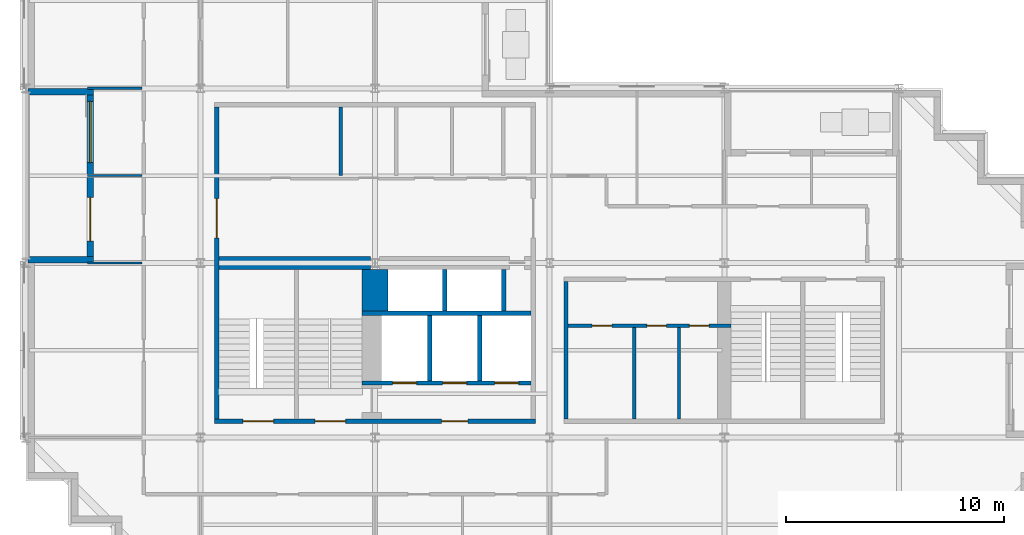
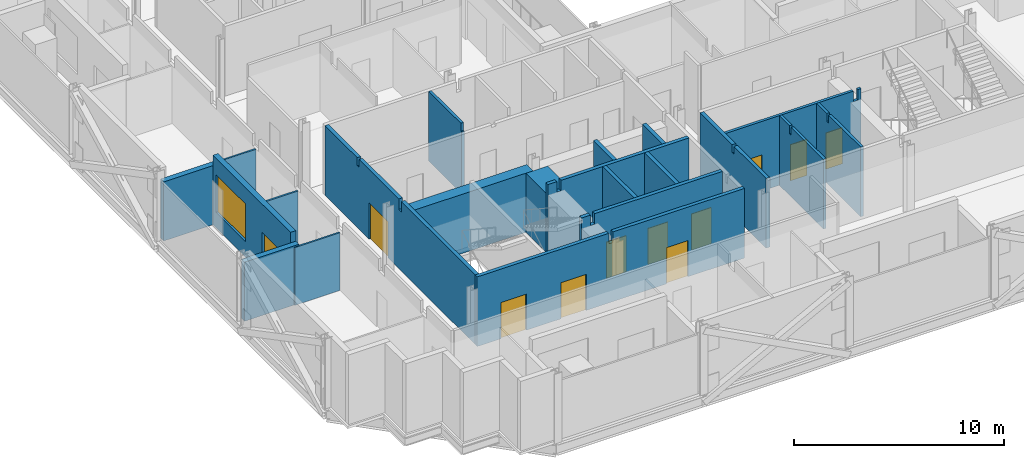
# One storey, part 5 of 13: 21 walls, 11 doors, 1 window, 12 openings.
"""IFC4 building model written with IfcOpenShell, lengths in metres."""

from ifc_helpers import new_model, si_unit, direction, frame, frame_2d, origin, place, context, subcontext, project, spatial, polyline, rectangle, outline, extrude, material, layer, layer_set, type_object, element, fill, save


model = new_model("IFC4")

# Units and contexts
model_context = context("Model", 3, precision=1e-05, world=origin(), true_north=direction((0.0, 1.0)))
body_context = subcontext(model_context, "Body", "Model", "MODEL_VIEW")
ifc_project = project(units=[si_unit("LENGTHUNIT", "METRE"), si_unit("AREAUNIT", "SQUARE_METRE"), si_unit("VOLUMEUNIT", "CUBIC_METRE"), si_unit("PLANEANGLEUNIT", "RADIAN"), si_unit("MASSUNIT", "GRAM", prefix="KILO")], contexts=[model_context])

# Site, building, storey
site_placement = place(None, origin())
site = spatial("IfcSite", under=ifc_project, at=site_placement, CompositionType="ELEMENT")
building_placement = place(site_placement, origin())
building = spatial("IfcBuilding", under=site, at=building_placement, Name="Immortelle Media Tower", CompositionType="ELEMENT")
storey_placement = place(building_placement, frame((0.0, 0.0, 174.60009765625)))
storey = spatial("IfcBuildingStorey", under=building, at=storey_placement, Name="L36", CompositionType="ELEMENT", Elevation=174.60009765625)

# Wall
ifc_material_1 = material(Name="Fire-rated gypsum board", Category="gypsum")
ifc_layer_1 = layer(ifc_material_1, 0.02490234375)
ifc_material_2 = material(Name="Steel ASTM A653 SS Gr 50 stud frame with mineral wool", Category="steel")
ifc_layer_2 = layer(ifc_material_2, 0.10009765625)
ifc_layer_3 = layer(ifc_material_1, 0.02490234375)
ifc_layer_set_1 = layer_set([ifc_layer_1, ifc_layer_2, ifc_layer_3], Name="Steel ASTM A653 SS Gr 50 stud frame with mineral wool")
wall_type_1 = type_object("IfcWallType", Name="Core partition 150", PredefinedType="PARTITIONING", material=ifc_layer_set_1)
wall_1_placement = place(storey_placement, frame((14.425048828125, 20.0, 0.0), z_axis=(0.0, 0.0, 1.0), x_axis=(0.0, 1.0, 0.0)))
element("IfcWall", 1, at=wall_1_placement, inside=storey, type_object=wall_type_1, Name="Core partition SW", PredefinedType="PARTITIONING", context=body_context, shape_type="SweptSolid", body=[
    extrude(outline(polyline([(0.0, 0.0), (3.14990234375, 0.0), (3.14990234375, 4.0498046875), (0.08154296875, 4.0498046875), (0.08056640625, 3.5888671875), (0.0, 3.5888671875), (0.0, 0.0)])), frame((0.0, 0.074951171875, 0.0), z_axis=(0.0, -1.0, 0.0), x_axis=(1.0, 0.0, 0.0)), (0.0, 0.0, 1.0), 0.14990234375),
])

# Wall, openings, doors
wall_2_placement = place(storey_placement, frame((24.85009765625, 13.125, 0.0), z_axis=(0.0, 0.0, 1.0), x_axis=(1.0, 0.0, 0.0)))
wall_2 = element("IfcWall", 2, at=wall_2_placement, inside=storey, type_object=wall_type_1, Name="Core partition SE", PredefinedType="PARTITIONING", context=body_context, shape_type="SweptSolid", body=[
    extrude(outline(polyline([(0.0, 0.0), (7.449951171875, 0.0), (7.449951171875, 4.0498046875), (7.26904296875, 4.0498046875), (7.26806640625, 3.44189453125), (7.031982421875, 3.44189453125), (7.031005859375, 4.0498046875), (0.0, 4.0498046875), (0.0, 0.0)])), frame((0.0, 0.074951171875, 0.0), z_axis=(0.0, -1.0, 0.0), x_axis=(1.0, 0.0, 0.0)), (0.0, 0.0, 1.0), 0.14990234375),
])
opening_1_placement = place(wall_2_placement, frame((2.0, 0.0, 0.0), z_axis=(0.0, 0.0, 1.0), x_axis=(-1.0, 0.0, 0.0)))
opening_1 = element("IfcOpeningElement", 3, at=opening_1_placement, cuts=wall_2, Name="Opening C6-K016", PredefinedType="OPENING", context=body_context, shape_type="SweptSolid", body=[
    extrude(rectangle(XDim=0.89990234375, YDim=2.10009765625, at=frame_2d((0.449951171875, 1.050048828125))), frame((0.0, 0.0849609375, 0.0), z_axis=(0.0, -1.0, 0.0), x_axis=(1.0, 0.0, 0.0)), (0.0, 0.0, 1.0), 0.169921875),
])
opening_2_placement = place(wall_2_placement, frame((4.5, 0.0, 0.0), z_axis=(0.0, 0.0, 1.0), x_axis=(-1.0, 0.0, 0.0)))
opening_2 = element("IfcOpeningElement", 4, at=opening_2_placement, cuts=wall_2, Name="Opening C6-K018", PredefinedType="OPENING", context=body_context, shape_type="SweptSolid", body=[
    extrude(rectangle(XDim=0.89990234375, YDim=2.10009765625, at=frame_2d((0.449951171875, 1.050048828125))), frame((0.0, 0.0849609375, 0.0), z_axis=(0.0, -1.0, 0.0), x_axis=(1.0, 0.0, 0.0)), (0.0, 0.0, 1.0), 0.169921875),
])
opening_3_placement = place(wall_2_placement, frame((6.449951171875, 0.0, 0.0), z_axis=(0.0, 0.0, 1.0), x_axis=(-1.0, 0.0, 0.0)))
opening_3 = element("IfcOpeningElement", 5, at=opening_3_placement, cuts=wall_2, Name="Opening C6-K019", PredefinedType="OPENING", context=body_context, shape_type="SweptSolid", body=[
    extrude(rectangle(XDim=0.89990234375, YDim=2.10009765625, at=frame_2d((0.449951171875, 1.050048828125))), frame((0.0, 0.0849609375, 0.0), z_axis=(0.0, -1.0, 0.0), x_axis=(1.0, 0.0, 0.0)), (0.0, 0.0, 1.0), 0.169921875),
])
ifc_material_3 = material(Name="Timber", Category="wood")
door_type_1 = type_object("IfcDoorType", Name="Room door 900 x 2100", OperationType="NOTDEFINED", PredefinedType="NOTDEFINED", material=ifc_material_3)
door_1_placement = place(opening_1_placement, origin())
door_1 = element("IfcDoor", 6, at=door_1_placement, inside=storey, type_object=door_type_1, Name="Room C6-K016", OperationType="SINGLE_SWING_RIGHT", OverallHeight=2.10009765625, OverallWidth=0.89990234375, PredefinedType="NOTDEFINED", context=body_context, shape_type="SweptSolid", body=[
    extrude(rectangle(XDim=0.89990234375, YDim=2.10009765625, at=frame_2d((0.449951171875, 1.050048828125))), frame((0.0, 0.02490234375, 0.0), z_axis=(0.0, -1.0, 0.0), x_axis=(1.0, 0.0, 0.0)), (0.0, 0.0, 1.0), 0.050048828125),
])
fill(opening_1, door_1)
door_2_placement = place(opening_2_placement, origin())
door_2 = element("IfcDoor", 7, at=door_2_placement, inside=storey, type_object=door_type_1, Name="Room C6-K018", OperationType="SINGLE_SWING_LEFT", OverallHeight=2.10009765625, OverallWidth=0.89990234375, PredefinedType="NOTDEFINED", context=body_context, shape_type="SweptSolid", body=[
    extrude(rectangle(XDim=0.89990234375, YDim=2.10009765625, at=frame_2d((0.449951171875, 1.050048828125))), frame((0.0, 0.02490234375, 0.0), z_axis=(0.0, -1.0, 0.0), x_axis=(1.0, 0.0, 0.0)), (0.0, 0.0, 1.0), 0.050048828125),
])
fill(opening_2, door_2)
ifc_material_4 = material(Name="Galvanised steel door leaf and frame ASTM A653", Category="steel")
door_type_2 = type_object("IfcDoorType", Name="Service door 900 x 2100", OperationType="NOTDEFINED", PredefinedType="NOTDEFINED", material=ifc_material_4)
door_3_placement = place(opening_3_placement, origin())
door_3 = element("IfcDoor", 8, at=door_3_placement, inside=storey, type_object=door_type_2, Name="Service C6-K019", OperationType="SINGLE_SWING_RIGHT", OverallHeight=2.10009765625, OverallWidth=0.89990234375, PredefinedType="NOTDEFINED", context=body_context, shape_type="SweptSolid", body=[
    extrude(rectangle(XDim=0.89990234375, YDim=2.10009765625, at=frame_2d((0.449951171875, 1.050048828125))), frame((0.0, 0.02490234375, 0.0), z_axis=(0.0, -1.0, 0.0), x_axis=(1.0, 0.0, 0.0)), (0.0, 0.0, 1.0), 0.050048828125),
])
fill(opening_3, door_3)

# Walls
for number, where, z_axis, x_axis, name in (
    (9, (27.875, 8.85009765625, 0.0), (0.0, 0.0, 1.0), (0.0, 1.0, 0.0), "Core partition SE"),
    (10, (29.925048828125, 8.85009765625, 0.0), (0.0, 0.0, 1.0), (0.0, 1.0, 0.0), "Core partition SE"),
):
    element("IfcWall", number, at=place(storey_placement, frame(where, z_axis=z_axis, x_axis=x_axis)), inside=storey, type_object=wall_type_1, Name=name, PredefinedType="PARTITIONING", context=body_context, shape_type="SweptSolid", body=[
        extrude(outline(polyline([(0.0, 0.0), (4.199951171875, 0.0), (4.199951171875, 4.0498046875), (3.2314453125, 4.0498046875), (3.23046875, 3.5888671875), (3.069580078125, 3.5888671875), (3.068603515625, 4.0498046875), (0.0, 4.0498046875), (0.0, 0.0)])), frame((0.0, 0.074951171875, 0.0), z_axis=(0.0, -1.0, 0.0), x_axis=(1.0, 0.0, 0.0)), (0.0, 0.0, 1.0), 0.14990234375),
    ])

# Wall, openings, doors
ifc_layer_4 = layer(ifc_material_1, 0.03759765625)
ifc_layer_5 = layer(ifc_material_2, 0.125)
ifc_layer_6 = layer(ifc_material_1, 0.03759765625)
ifc_layer_set_2 = layer_set([ifc_layer_4, ifc_layer_5, ifc_layer_6], Name="Steel ASTM A653 SS Gr 50 stud frame with mineral wool")
wall_type_2 = type_object("IfcWallType", Name="Core shaft wall 200", PredefinedType="PARTITIONING", material=ifc_layer_set_2)
wall_3_placement = place(storey_placement, frame((15.39990234375, 10.5, 0.0), z_axis=(0.0, 0.0, 1.0), x_axis=(1.0, 0.0, 0.0)))
wall_3 = element("IfcWall", 11, at=wall_3_placement, inside=storey, type_object=wall_type_2, Name="Core shaft wall SW", PredefinedType="PARTITIONING", context=body_context, shape_type="SweptSolid", body=[
    extrude(outline(polyline([(0.0, 0.0), (7.75, 0.0), (7.75, 4.0498046875), (0.718994140625, 4.0498046875), (0.718017578125, 3.44189453125), (0.48193359375, 3.44189453125), (0.48095703125, 4.0498046875), (0.0, 4.0498046875), (0.0, 0.0)])), frame((0.0, 0.10009765625, 0.0), z_axis=(0.0, -1.0, 0.0), x_axis=(1.0, 0.0, 0.0)), (0.0, 0.0, 1.0), 0.199951171875),
])
opening_4_placement = place(wall_3_placement, frame((1.39990234375, 0.0, 0.0)))
opening_4 = element("IfcOpeningElement", 12, at=opening_4_placement, cuts=wall_3, Name="Opening LD", PredefinedType="OPENING", context=body_context, shape_type="SweptSolid", body=[
    extrude(rectangle(XDim=1.10009765625, YDim=2.10009765625, at=frame_2d((0.550048828125, 1.050048828125))), frame((0.0, 0.10986328125, 0.0), z_axis=(0.0, -1.0, 0.0), x_axis=(1.0, 0.0, 0.0)), (0.0, 0.0, 1.0), 0.219970703125),
])
opening_5_placement = place(wall_3_placement, frame((3.699951171875, 0.0, 0.0)))
opening_5 = element("IfcOpeningElement", 13, at=opening_5_placement, cuts=wall_3, Name="Opening LD", PredefinedType="OPENING", context=body_context, shape_type="SweptSolid", body=[
    extrude(rectangle(XDim=1.10009765625, YDim=2.10009765625, at=frame_2d((0.550048828125, 1.050048828125))), frame((0.0, 0.10986328125, 0.0), z_axis=(0.0, -1.0, 0.0), x_axis=(1.0, 0.0, 0.0)), (0.0, 0.0, 1.0), 0.219970703125),
])
opening_6_placement = place(wall_3_placement, frame((6.074951171875, 0.0, 0.0)))
opening_6 = element("IfcOpeningElement", 14, at=opening_6_placement, cuts=wall_3, Name="Opening LD", PredefinedType="OPENING", context=body_context, shape_type="SweptSolid", body=[
    extrude(rectangle(XDim=1.10009765625, YDim=2.10009765625, at=frame_2d((0.550048828125, 1.050048828125))), frame((0.0, 0.10986328125, 0.0), z_axis=(0.0, -1.0, 0.0), x_axis=(1.0, 0.0, 0.0)), (0.0, 0.0, 1.0), 0.219970703125),
])
ifc_material_5 = material(Name="Stainless steel AISI 304", Category="steel")
door_type_3 = type_object("IfcDoorType", Name="Landing door 1100 x 2100", OperationType="SLIDING_TO_LEFT", PredefinedType="NOTDEFINED", material=ifc_material_5)
door_4_placement = place(opening_4_placement, origin())
door_4 = element("IfcDoor", 15, at=door_4_placement, inside=storey, type_object=door_type_3, Name="Landing door FF1 L36", OperationType="SLIDING_TO_LEFT", OverallHeight=2.10009765625, OverallWidth=1.10009765625, PredefinedType="NOTDEFINED", context=body_context, shape_type="SweptSolid", body=[
    extrude(rectangle(XDim=1.10009765625, YDim=2.10009765625, at=frame_2d((0.550048828125, 1.050048828125))), frame((0.0, 0.02490234375, 0.0), z_axis=(0.0, -1.0, 0.0), x_axis=(1.0, 0.0, 0.0)), (0.0, 0.0, 1.0), 0.050048828125),
])
fill(opening_4, door_4)
door_5_placement = place(opening_5_placement, origin())
door_5 = element("IfcDoor", 16, at=door_5_placement, inside=storey, type_object=door_type_3, Name="Landing door FF2 L36", OperationType="SLIDING_TO_LEFT", OverallHeight=2.10009765625, OverallWidth=1.10009765625, PredefinedType="NOTDEFINED", context=body_context, shape_type="SweptSolid", body=[
    extrude(rectangle(XDim=1.10009765625, YDim=2.10009765625, at=frame_2d((0.550048828125, 1.050048828125))), frame((0.0, 0.02490234375, 0.0), z_axis=(0.0, -1.0, 0.0), x_axis=(1.0, 0.0, 0.0)), (0.0, 0.0, 1.0), 0.050048828125),
])
fill(opening_5, door_5)
door_6_placement = place(opening_6_placement, origin())
door_6 = element("IfcDoor", 17, at=door_6_placement, inside=storey, type_object=door_type_3, Name="Landing door FF3 L36", OperationType="SLIDING_TO_LEFT", OverallHeight=2.10009765625, OverallWidth=1.10009765625, PredefinedType="NOTDEFINED", context=body_context, shape_type="SweptSolid", body=[
    extrude(rectangle(XDim=1.10009765625, YDim=2.10009765625, at=frame_2d((0.550048828125, 1.050048828125))), frame((0.0, 0.02490234375, 0.0), z_axis=(0.0, -1.0, 0.0), x_axis=(1.0, 0.0, 0.0)), (0.0, 0.0, 1.0), 0.050048828125),
])
fill(opening_6, door_6)

# Walls
wall_4_placement = place(storey_placement, frame((15.39990234375, 13.699951171875, 0.0), z_axis=(0.0, 0.0, 1.0), x_axis=(1.0, 0.0, 0.0)))
element("IfcWall", 18, at=wall_4_placement, inside=storey, type_object=wall_type_2, Name="Core shaft wall SW", PredefinedType="PARTITIONING", context=body_context, shape_type="SweptSolid", body=[
    extrude(outline(polyline([(0.0, 0.0), (7.75, 0.0), (7.75, 4.0498046875), (0.718994140625, 4.0498046875), (0.718017578125, 3.44189453125), (0.48193359375, 3.44189453125), (0.48095703125, 4.0498046875), (0.0, 4.0498046875), (0.0, 0.0)])), frame((0.0, 0.10009765625, 0.0), z_axis=(0.0, -1.0, 0.0), x_axis=(1.0, 0.0, 0.0)), (0.0, 0.0, 1.0), 0.199951171875),
])
wall_5_placement = place(storey_placement, frame((18.5, 10.60009765625, 0.0), z_axis=(0.0, 0.0, 1.0), x_axis=(0.0, 1.0, 0.0)))
element("IfcWall", 19, at=wall_5_placement, inside=storey, type_object=wall_type_2, Name="Core shaft wall SW", PredefinedType="PARTITIONING", context=body_context, shape_type="SweptSolid", body=[
    extrude(rectangle(XDim=3.0, YDim=0.199951171875, at=frame_2d((1.5, 0.0))), origin(), (0.0, 0.0, 1.0), 4.0498046875),
])
wall_6_placement = place(storey_placement, frame((19.199951171875, 13.800048828125, 0.0), z_axis=(0.0, 0.0, 1.0), x_axis=(0.0, 1.0, 0.0)))
element("IfcWall", 20, at=wall_6_placement, inside=storey, type_object=wall_type_2, Name="Core shaft wall SW", PredefinedType="PARTITIONING", context=body_context, shape_type="SweptSolid", body=[
    extrude(rectangle(XDim=1.89990234375, YDim=0.199951171875, at=frame_2d((0.949951171875, 0.0))), origin(), (0.0, 0.0, 1.0), 4.0498046875),
])
wall_7_placement = place(storey_placement, frame((20.800048828125, 10.60009765625, 0.0), z_axis=(0.0, 0.0, 1.0), x_axis=(0.0, 1.0, 0.0)))
element("IfcWall", 21, at=wall_7_placement, inside=storey, type_object=wall_type_2, Name="Core shaft wall SW", PredefinedType="PARTITIONING", context=body_context, shape_type="SweptSolid", body=[
    extrude(rectangle(XDim=3.0, YDim=0.199951171875, at=frame_2d((1.5, 0.0))), origin(), (0.0, 0.0, 1.0), 4.0498046875),
])
wall_8_placement = place(storey_placement, frame((21.89990234375, 13.800048828125, 0.0), z_axis=(0.0, 0.0, 1.0), x_axis=(0.0, 1.0, 0.0)))
element("IfcWall", 22, at=wall_8_placement, inside=storey, type_object=wall_type_2, Name="Core shaft wall SW", PredefinedType="PARTITIONING", context=body_context, shape_type="SweptSolid", body=[
    extrude(rectangle(XDim=1.89990234375, YDim=0.199951171875, at=frame_2d((0.949951171875, 0.0))), origin(), (0.0, 0.0, 1.0), 4.0498046875),
])
wall_9_placement = place(storey_placement, frame((24.75, 8.85009765625, 0.0), z_axis=(0.0, 0.0, 1.0), x_axis=(0.0, 1.0, 0.0)))
element("IfcWall", 23, at=wall_9_placement, inside=storey, type_object=wall_type_2, Name="Core shaft wall SE", PredefinedType="PARTITIONING", context=body_context, shape_type="SweptSolid", body=[
    extrude(outline(polyline([(0.0, 0.0), (6.2998046875, 0.0), (6.300048828125, 4.0498046875), (3.2314453125, 4.0498046875), (3.23046875, 3.5888671875), (3.069580078125, 3.5888671875), (3.068603515625, 4.0498046875), (0.0, 4.0498046875), (0.0, 0.0)])), frame((0.0, 0.10009765625, 0.0), z_axis=(0.0, -1.0, 0.0), x_axis=(1.0, 0.0, 0.0)), (0.0, 0.0, 1.0), 0.199951171875),
])

# Wall, openings, door, window
ifc_material_6 = material(Name="Pale aluminium cladding panel", Category="aluminium")
ifc_layer_7 = layer(ifc_material_6, 0.030029296875)
ifc_layer_8 = layer(ifc_material_2, 0.257568359375)
ifc_material_7 = material(Name="Moisture-resistant gypsum board", Category="gypsum")
ifc_layer_9 = layer(ifc_material_7, 0.012451171875)
ifc_layer_set_3 = layer_set([ifc_layer_7, ifc_layer_8, ifc_layer_9], Name="Steel ASTM A653 SS Gr 50 stud frame with mineral wool")
wall_type_3 = type_object("IfcWallType", Name="Facade wall 300", PredefinedType="SOLIDWALL", material=ifc_layer_set_3)
wall_10_placement = place(storey_placement, frame((2.949951171875, 23.699951171875, 0.0), z_axis=(0.0, 0.0, 1.0), x_axis=(0.0, -1.0, 0.0)))
wall_10 = element("IfcWall", 24, at=wall_10_placement, inside=storey, type_object=wall_type_3, Name="Loggia wall L36 W35", PredefinedType="SOLIDWALL", context=body_context, shape_type="SweptSolid", body=[
    extrude(rectangle(XDim=7.39990234375, YDim=0.300048828125, at=frame_2d((3.699951171875, 0.0))), origin(), (0.0, 0.0, 1.0), 4.0498046875),
])
opening_7_placement = place(wall_10_placement, frame((0.300048828125, 0.0, 0.89990234375)))
opening_7 = element("IfcOpeningElement", 25, at=opening_7_placement, cuts=wall_10, Name="Opening W1", PredefinedType="OPENING", context=body_context, shape_type="SweptSolid", body=[
    extrude(rectangle(XDim=2.800048828125, YDim=2.199951171875, at=frame_2d((1.39990234375, 1.10009765625))), frame((0.0, 0.159912109375, 0.0), z_axis=(0.0, -1.0, 0.0), x_axis=(1.0, 0.0, 0.0)), (0.0, 0.0, 1.0), 0.320068359375),
])
opening_8_placement = place(wall_10_placement, frame((4.699951171875, 0.0, 0.0)))
opening_8 = element("IfcOpeningElement", 26, at=opening_8_placement, cuts=wall_10, Name="Opening C6-E008", PredefinedType="OPENING", context=body_context, shape_type="SweptSolid", body=[
    extrude(rectangle(XDim=2.0, YDim=2.39990234375, at=frame_2d((1.0, 1.199951171875))), frame((0.0, 0.159912109375, 0.0), z_axis=(0.0, -1.0, 0.0), x_axis=(1.0, 0.0, 0.0)), (0.0, 0.0, 1.0), 0.320068359375),
])
ifc_material_8 = material(Name="Aluminium frame, glazed leaves", Category="aluminium")
door_type_4 = type_object("IfcDoorType", Name="Loggia door 2000 x 2400", OperationType="DOUBLE_DOOR_SINGLE_SWING", PredefinedType="DOOR", material=ifc_material_8)
door_7_placement = place(opening_8_placement, origin())
door_7 = element("IfcDoor", 27, at=door_7_placement, inside=storey, type_object=door_type_4, Name="Door C6-E008", OperationType="DOUBLE_DOOR_SINGLE_SWING", OverallHeight=2.39990234375, OverallWidth=2.0, PredefinedType="DOOR", context=body_context, shape_type="SweptSolid", body=[
    extrude(rectangle(XDim=2.0, YDim=2.39990234375, at=frame_2d((1.0, 1.199951171875))), frame((0.0, 0.02490234375, 0.0), z_axis=(0.0, -1.0, 0.0), x_axis=(1.0, 0.0, 0.0)), (0.0, 0.0, 1.0), 0.050048828125),
])
fill(opening_8, door_7)
ifc_material_9 = material(Name="Aluminium frame", Category="aluminium")
window_type = type_object("IfcWindowType", Name="Window 2800 x 2200", PartitioningType="SINGLE_PANEL", PredefinedType="WINDOW", material=ifc_material_9)
window_placement = place(opening_7_placement, origin())
window = element("IfcWindow", 28, at=window_placement, inside=storey, type_object=window_type, Name="Window L36 L36-R35-B2", OverallHeight=2.199951171875, OverallWidth=2.800048828125, PartitioningType="SINGLE_PANEL", PredefinedType="WINDOW", context=body_context, shape_type="SweptSolid", body=[
    extrude(rectangle(XDim=2.800048828125, YDim=2.199951171875, at=frame_2d((1.39990234375, 1.10009765625))), frame((0.0, 0.030029296875, 0.0), z_axis=(0.0, -1.0, 0.0), x_axis=(1.0, 0.0, 0.0)), (0.0, 0.0, 1.0), 0.06005859375),
])
fill(opening_7, window)

# Walls
for number, where, z_axis, x_axis, name in (
    (29, (0.10009765625, 23.85009765625, 0.0), (0.0, 0.0, 1.0), (1.0, 0.0, 0.0), "Loggia cheek wall L36 W"),
    (30, (0.10009765625, 16.14990234375, 0.0), (0.0, 0.0, 1.0), (1.0, 0.0, 0.0), "Loggia cheek wall L36 W"),
):
    element("IfcWall", number, at=place(storey_placement, frame(where, z_axis=z_axis, x_axis=x_axis)), inside=storey, type_object=wall_type_3, Name=name, PredefinedType="SOLIDWALL", context=body_context, shape_type="SweptSolid", body=[
        extrude(rectangle(XDim=3.0, YDim=0.300048828125, at=frame_2d((1.5, 0.0))), origin(), (0.0, 0.0, 1.0), 3.43701171875),
    ])
ifc_material_10 = material(Name="Gypsum board", Category="gypsum")
ifc_layer_10 = layer(ifc_material_10, 0.012451171875)
ifc_layer_11 = layer(ifc_material_2, 0.074951171875)
ifc_layer_12 = layer(ifc_material_10, 0.012451171875)
ifc_layer_set_4 = layer_set([ifc_layer_10, ifc_layer_11, ifc_layer_12], Name="Steel ASTM A653 SS Gr 50 stud frame with mineral wool")
wall_type_4 = type_object("IfcWallType", Name="Partition 100", PredefinedType="PARTITIONING", material=ifc_layer_set_4)
for number, where, z_axis, x_axis, name in (
    (31, (2.830078125, 16.0, 0.0), (0.0, 0.0, 1.0), (1.0, 0.0, 0.0), "Partition L36-009"),
    (32, (2.830078125, 20.0, 0.0), (0.0, 0.0, 1.0), (1.0, 0.0, 0.0), "Partition L36-017"),
    (33, (2.830078125, 24.0, 0.0), (0.0, 0.0, 1.0), (1.0, 0.0, 0.0), "Partition L36-019"),
):
    element("IfcWall", number, at=place(storey_placement, frame(where, z_axis=z_axis, x_axis=x_axis)), inside=storey, type_object=wall_type_4, Name=name, PredefinedType="PARTITIONING", context=body_context, shape_type="SweptSolid", body=[
        extrude(rectangle(XDim=2.494873046875, YDim=0.10009765625, at=frame_2d((1.24755859375, 0.0))), origin(), (0.0, 0.0, 1.0), 3.35400390625),
    ])
ifc_material_11 = material(Name="Concrete C60", Category="concrete")
ifc_layer_13 = layer(ifc_material_11, 1.199951171875)
ifc_layer_set_5 = layer_set([ifc_layer_13], Name="Concrete C60")
wall_type_5 = type_object("IfcWallType", Name="Stair shaft wall 1200", PredefinedType="PARTITIONING", material=ifc_layer_set_5)
wall_11_placement = place(storey_placement, frame((16.0, 13.800048828125, 0.0), z_axis=(0.0, 0.0, 1.0), x_axis=(0.0, 1.0, 0.0)))
element("IfcWall", 34, at=wall_11_placement, inside=storey, type_object=wall_type_5, Name="Stair shaft wall SW", PredefinedType="PARTITIONING", context=body_context, shape_type="SweptSolid", body=[
    extrude(rectangle(XDim=1.89990234375, YDim=1.199951171875, at=frame_2d((0.949951171875, 0.0))), origin(), (0.0, 0.0, 1.0), 3.44189453125),
])

# Wall, openings, doors
ifc_layer_14 = layer(ifc_material_11, 0.199951171875)
ifc_layer_set_6 = layer_set([ifc_layer_14], Name="Concrete C60")
wall_type_6 = type_object("IfcWallType", Name="Stair shaft wall 200", PredefinedType="PARTITIONING", material=ifc_layer_set_6)
wall_12_placement = place(storey_placement, frame((8.64990234375, 8.75, 0.0), z_axis=(0.0, 0.0, 1.0), x_axis=(1.0, 0.0, 0.0)))
wall_12 = element("IfcWall", 35, at=wall_12_placement, inside=storey, type_object=wall_type_6, Name="Stair shaft wall SW", PredefinedType="PARTITIONING", context=body_context, shape_type="SweptSolid", body=[
    extrude(outline(polyline([(0.0, 0.0), (14.7001953125, 0.0), (14.699951171875, 4.0498046875), (7.468994140625, 4.0498046875), (7.468017578125, 3.44189453125), (7.23193359375, 3.44189453125), (7.23095703125, 4.0498046875), (0.0, 4.0498046875), (0.0, 0.0)])), frame((0.0, 0.10009765625, 0.0), z_axis=(0.0, -1.0, 0.0), x_axis=(1.0, 0.0, 0.0)), (0.0, 0.0, 1.0), 0.199951171875),
])
opening_9_placement = place(wall_12_placement, frame((1.300048828125, 0.0, 0.0)))
opening_9 = element("IfcOpeningElement", 36, at=opening_9_placement, cuts=wall_12, Name="Opening C6-K002", PredefinedType="OPENING", context=body_context, shape_type="SweptSolid", body=[
    extrude(rectangle(XDim=1.39990234375, YDim=2.10009765625, at=frame_2d((0.699951171875, 1.050048828125))), frame((0.0, 0.10986328125, 0.0), z_axis=(0.0, -1.0, 0.0), x_axis=(1.0, 0.0, 0.0)), (0.0, 0.0, 1.0), 0.219970703125),
])
opening_10_placement = place(wall_12_placement, frame((4.60009765625, 0.0, 0.0)))
opening_10 = element("IfcOpeningElement", 37, at=opening_10_placement, cuts=wall_12, Name="Opening C6-K004", PredefinedType="OPENING", context=body_context, shape_type="SweptSolid", body=[
    extrude(rectangle(XDim=1.39990234375, YDim=2.10009765625, at=frame_2d((0.699951171875, 1.050048828125))), frame((0.0, 0.10986328125, 0.0), z_axis=(0.0, -1.0, 0.0), x_axis=(1.0, 0.0, 0.0)), (0.0, 0.0, 1.0), 0.219970703125),
])
opening_11_placement = place(wall_12_placement, frame((10.39990234375, 0.0, 0.0)))
opening_11 = element("IfcOpeningElement", 38, at=opening_11_placement, cuts=wall_12, Name="Opening C6-K009", PredefinedType="OPENING", context=body_context, shape_type="SweptSolid", body=[
    extrude(rectangle(XDim=1.199951171875, YDim=2.10009765625, at=frame_2d((0.60009765625, 1.050048828125))), frame((0.0, 0.10986328125, 0.0), z_axis=(0.0, -1.0, 0.0), x_axis=(1.0, 0.0, 0.0)), (0.0, 0.0, 1.0), 0.219970703125),
])
door_type_5 = type_object("IfcDoorType", Name="Fire-fighting lobby door 1200 x 2100", OperationType="NOTDEFINED", PredefinedType="NOTDEFINED", material=ifc_material_4)
door_8_placement = place(opening_11_placement, origin())
door_8 = element("IfcDoor", 39, at=door_8_placement, inside=storey, type_object=door_type_5, Name="Fire-fighting lobby C6-K009", OperationType="SINGLE_SWING_RIGHT", OverallHeight=2.10009765625, OverallWidth=1.199951171875, PredefinedType="NOTDEFINED", context=body_context, shape_type="SweptSolid", body=[
    extrude(rectangle(XDim=1.199951171875, YDim=2.10009765625, at=frame_2d((0.60009765625, 1.050048828125))), frame((0.0, 0.02490234375, 0.0), z_axis=(0.0, -1.0, 0.0), x_axis=(1.0, 0.0, 0.0)), (0.0, 0.0, 1.0), 0.050048828125),
])
fill(opening_11, door_8)
door_type_6 = type_object("IfcDoorType", Name="Stair door 1400 x 2100", OperationType="DOUBLE_DOOR_SINGLE_SWING", PredefinedType="NOTDEFINED", material=ifc_material_4)
door_9_placement = place(opening_9_placement, origin())
door_9 = element("IfcDoor", 40, at=door_9_placement, inside=storey, type_object=door_type_6, Name="Stair C6-K002", OperationType="DOUBLE_DOOR_SINGLE_SWING", OverallHeight=2.10009765625, OverallWidth=1.39990234375, PredefinedType="NOTDEFINED", context=body_context, shape_type="SweptSolid", body=[
    extrude(rectangle(XDim=1.39990234375, YDim=2.10009765625, at=frame_2d((0.699951171875, 1.050048828125))), frame((0.0, 0.02490234375, 0.0), z_axis=(0.0, -1.0, 0.0), x_axis=(1.0, 0.0, 0.0)), (0.0, 0.0, 1.0), 0.050048828125),
])
fill(opening_9, door_9)
door_10_placement = place(opening_10_placement, origin())
door_10 = element("IfcDoor", 41, at=door_10_placement, inside=storey, type_object=door_type_6, Name="Stair C6-K004", OperationType="DOUBLE_DOOR_SINGLE_SWING", OverallHeight=2.10009765625, OverallWidth=1.39990234375, PredefinedType="NOTDEFINED", context=body_context, shape_type="SweptSolid", body=[
    extrude(rectangle(XDim=1.39990234375, YDim=2.10009765625, at=frame_2d((0.699951171875, 1.050048828125))), frame((0.0, 0.02490234375, 0.0), z_axis=(0.0, -1.0, 0.0), x_axis=(1.0, 0.0, 0.0)), (0.0, 0.0, 1.0), 0.050048828125),
])
fill(opening_10, door_10)

# Wall, opening, door
wall_13_placement = place(storey_placement, frame((8.75, 8.85009765625, 0.0), z_axis=(0.0, 0.0, 1.0), x_axis=(0.0, 1.0, 0.0)))
wall_13 = element("IfcWall", 42, at=wall_13_placement, inside=storey, type_object=wall_type_6, Name="Stair shaft wall SW", PredefinedType="PARTITIONING", context=body_context, shape_type="SweptSolid", body=[
    extrude(outline(polyline([(0.0, 0.0), (14.2998046875, 0.0), (14.300048828125, 4.0498046875), (11.2314453125, 4.0498046875), (11.23046875, 3.5888671875), (11.069580078125, 3.5888671875), (11.068603515625, 4.0498046875), (7.26904296875, 4.0498046875), (7.26806640625, 3.44189453125), (7.031982421875, 3.44189453125), (7.031005859375, 4.0498046875), (0.0, 4.0498046875), (0.0, 0.0)])), frame((0.0, 0.10009765625, 0.0), z_axis=(0.0, -1.0, 0.0), x_axis=(1.0, 0.0, 0.0)), (0.0, 0.0, 1.0), 0.199951171875),
])
opening_12_placement = place(wall_13_placement, frame((8.300048828125, 0.0, 0.0)))
opening_12 = element("IfcOpeningElement", 43, at=opening_12_placement, cuts=wall_13, Name="Opening C6-K001", PredefinedType="OPENING", context=body_context, shape_type="SweptSolid", body=[
    extrude(rectangle(XDim=1.800048828125, YDim=2.10009765625, at=frame_2d((0.89990234375, 1.050048828125))), frame((0.0, 0.10986328125, 0.0), z_axis=(0.0, -1.0, 0.0), x_axis=(1.0, 0.0, 0.0)), (0.0, 0.0, 1.0), 0.219970703125),
])
door_type_7 = type_object("IfcDoorType", Name="Lift lobby door 1800 x 2100", OperationType="DOUBLE_DOOR_SINGLE_SWING", PredefinedType="NOTDEFINED", material=ifc_material_4)
door_11_placement = place(opening_12_placement, origin())
door_11 = element("IfcDoor", 44, at=door_11_placement, inside=storey, type_object=door_type_7, Name="Lift lobby C6-K001", OperationType="DOUBLE_DOOR_SINGLE_SWING", OverallHeight=2.10009765625, OverallWidth=1.800048828125, PredefinedType="NOTDEFINED", context=body_context, shape_type="SweptSolid", body=[
    extrude(rectangle(XDim=1.800048828125, YDim=2.10009765625, at=frame_2d((0.89990234375, 1.050048828125))), frame((0.0, 0.02490234375, 0.0), z_axis=(0.0, -1.0, 0.0), x_axis=(1.0, 0.0, 0.0)), (0.0, 0.0, 1.0), 0.050048828125),
])
fill(opening_12, door_11)

# Wall
ifc_layer_15 = layer(ifc_material_11, 0.60009765625)
ifc_layer_set_7 = layer_set([ifc_layer_15], Name="Concrete C60")
wall_type_7 = type_object("IfcWallType", Name="Stair shaft wall 600", PredefinedType="PARTITIONING", material=ifc_layer_set_7)
wall_14_placement = place(storey_placement, frame((8.85009765625, 16.0, 0.0), z_axis=(0.0, 0.0, 1.0), x_axis=(1.0, 0.0, 0.0)))
element("IfcWall", 45, at=wall_14_placement, inside=storey, type_object=wall_type_7, Name="Stair shaft wall SW", PredefinedType="PARTITIONING", context=body_context, shape_type="SweptSolid", body=[
    extrude(rectangle(XDim=6.9404296875, YDim=0.60009765625, at=frame_2d((3.47021484375, 0.0))), origin(), (0.0, 0.0, 1.0), 3.44189453125),
])

save(model, "model.ifc")
